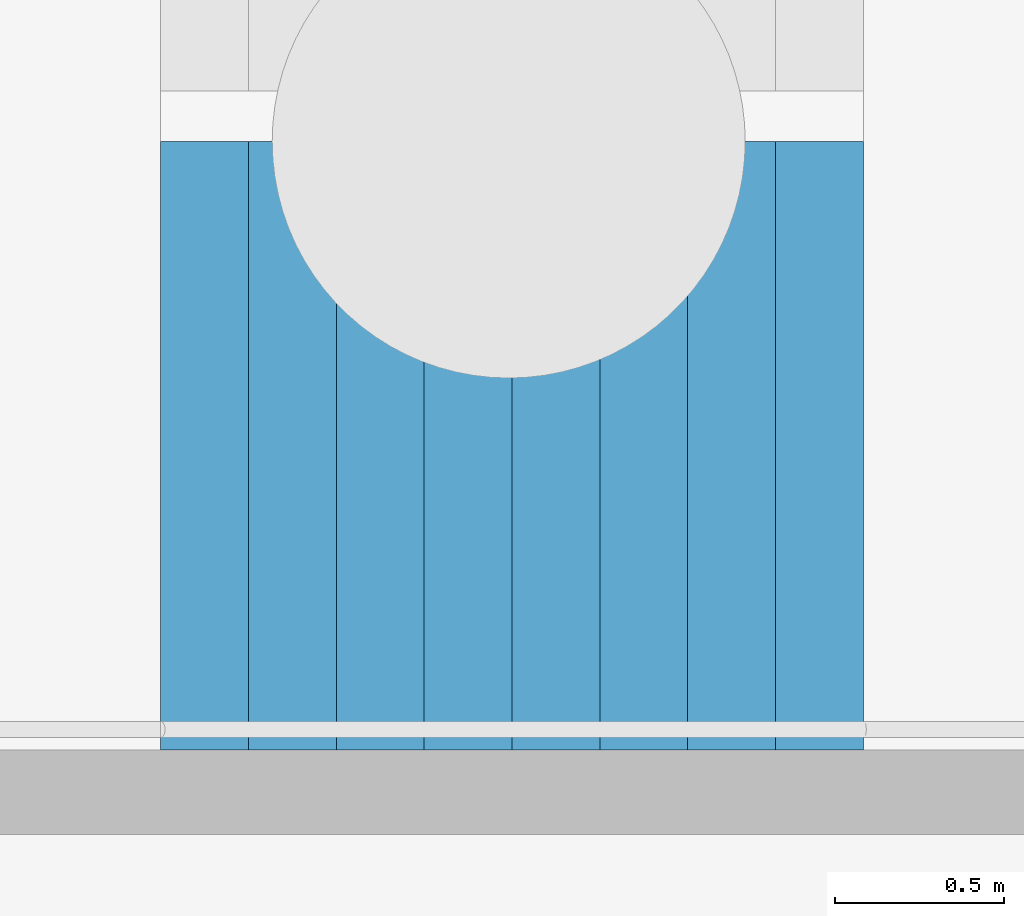
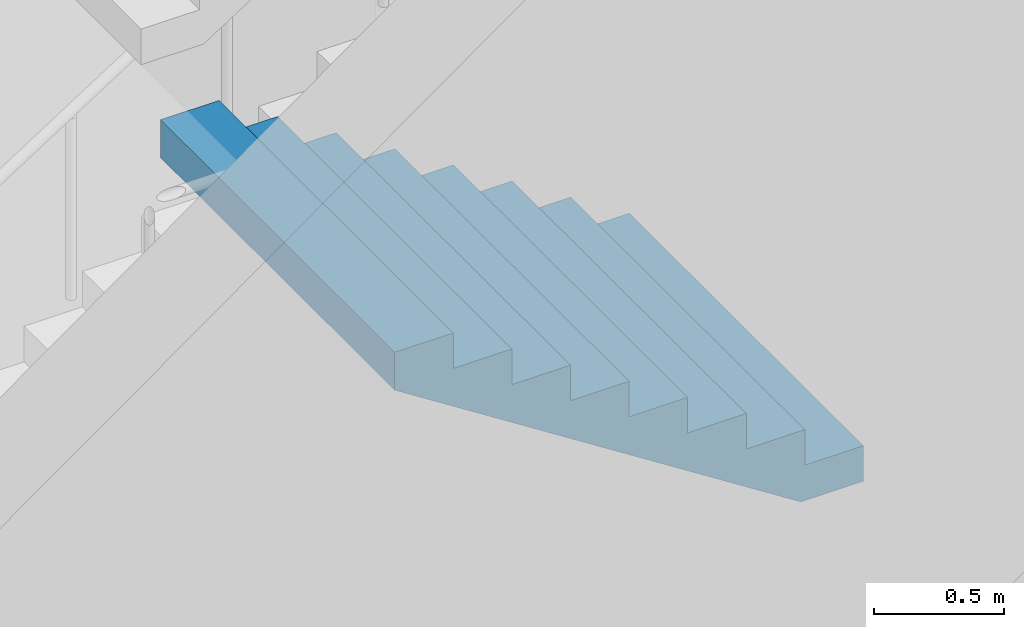
# One storey, part 79 of 113: 1 stair flight, 1 element without a shape of its own.
"""IFC4 building model written with IfcOpenShell, lengths in metres."""

from ifc_helpers import new_model, si_unit, direction, frame, origin, place, context, subcontext, project, spatial, triangles, material, type_object, element, aggregate, save


model = new_model("IFC4")

# Units and contexts
model_context = context("Model", 3, precision=1e-05, world=origin(), true_north=direction((0.0, 1.0)))
body_context = subcontext(model_context, "Body", "Model", "MODEL_VIEW")
ifc_project = project(units=[si_unit("LENGTHUNIT", "METRE"), si_unit("AREAUNIT", "SQUARE_METRE"), si_unit("VOLUMEUNIT", "CUBIC_METRE"), si_unit("PLANEANGLEUNIT", "RADIAN"), si_unit("MASSUNIT", "GRAM", prefix="KILO")], contexts=[model_context])

# Site, building, storey
site_placement = place(None, origin())
site = spatial("IfcSite", under=ifc_project, at=site_placement, CompositionType="ELEMENT")
building_placement = place(site_placement, origin())
building = spatial("IfcBuilding", under=site, at=building_placement, Name="Hakoniwa Tower and Hamabe Station Hall", CompositionType="ELEMENT")
storey_placement = place(building_placement, origin())
storey = spatial("IfcBuildingStorey", under=building, at=storey_placement, Name="L01", CompositionType="ELEMENT", Elevation=0.0)

# Stair, stair flight
ifc_material_1 = material(Name="Concrete C40", Category="concrete")
stair_type = type_object("IfcStairType", Name="ESCAPE STAIR 1800", PredefinedType="HALF_TURN_STAIR", material=ifc_material_1)
stair_placement = place(storey_placement, origin())
stair = element("IfcStair", 1, at=stair_placement, inside=storey, type_object=stair_type, Name="Escape stair ST-3 L01", PredefinedType="HALF_TURN_STAIR")
ifc_material_2 = material(Name="Concrete C40", Category="concrete")
stair_flight_type = type_object("IfcStairFlightType", Name="STAIR FLIGHT 1800", PredefinedType="STRAIGHT", material=ifc_material_2)
stair_flight_placement = place(storey_placement, frame((24.39990234375, 4.64990234375, 3.0), z_axis=(0.0, 0.0, 1.0), x_axis=(-1.0, 0.0, 0.0)))
stair_flight = element("IfcStairFlight", 2, at=stair_flight_placement, type_object=stair_flight_type, Name="ST-3 flight 3", NumberOfRisers=9, NumberOfTreads=8, PredefinedType="STRAIGHT", RiserHeight=0.166666667, TreadLength=0.26, context=body_context, shape_type="Tessellation", body=[
    triangles([(0.0, 0.89990234375, 0.0), (0.260009765625, 0.89990234375, 0.0), (0.27783203125, 0.89990234375, 0.0), (0.52001953125, 0.89990234375, 0.1552734375), (0.780029296875, 0.89990234375, 0.322021484375), (1.0400390625, 0.89990234375, 0.488525390625), (1.300048828125, 0.89990234375, 0.6552734375), (1.56005859375, 0.89990234375, 0.822021484375), (1.820068359375, 0.89990234375, 0.988525390625), (2.080078125, 0.89990234375, 1.1552734375), (2.080078125, 0.89990234375, 1.333251953125), (1.820068359375, 0.89990234375, 1.333251953125), (1.820068359375, 0.89990234375, 1.166748046875), (1.56005859375, 0.89990234375, 1.166748046875), (1.56005859375, 0.89990234375, 1.0), (1.300048828125, 0.89990234375, 1.0), (1.300048828125, 0.89990234375, 0.833251953125), (1.0400390625, 0.89990234375, 0.833251953125), (1.0400390625, 0.89990234375, 0.666748046875), (0.780029296875, 0.89990234375, 0.666748046875), (0.780029296875, 0.89990234375, 0.5), (0.52001953125, 0.89990234375, 0.5), (0.52001953125, 0.89990234375, 0.333251953125), (0.27783203125, 0.89990234375, 0.333251953125), (0.260009765625, 0.89990234375, 0.333251953125), (0.260009765625, 0.89990234375, 0.166748046875), (0.0, 0.89990234375, 0.166748046875), (0.0, 0.06005859375, 0.0), (0.260009765625, 0.06005859375, 0.0), (0.27783203125, 0.06005859375, 0.0), (0.52001953125, 0.06005859375, 0.1552734375), (0.780029296875, 0.06005859375, 0.322021484375), (1.0400390625, 0.06005859375, 0.488525390625), (1.300048828125, 0.06005859375, 0.6552734375), (1.56005859375, 0.06005859375, 0.822021484375), (1.820068359375, 0.06005859375, 0.988525390625), (2.080078125, 0.06005859375, 1.1552734375), (2.080078125, 0.06005859375, 1.333251953125), (1.820068359375, 0.06005859375, 1.333251953125), (1.820068359375, 0.06005859375, 1.166748046875), (1.56005859375, 0.06005859375, 1.166748046875), (1.56005859375, 0.06005859375, 1.0), (1.300048828125, 0.06005859375, 1.0), (1.300048828125, 0.06005859375, 0.833251953125), (1.0400390625, 0.06005859375, 0.833251953125), (1.0400390625, 0.06005859375, 0.666748046875), (0.780029296875, 0.06005859375, 0.666748046875), (0.780029296875, 0.06005859375, 0.5), (0.52001953125, 0.06005859375, 0.5), (0.52001953125, 0.06005859375, 0.333251953125), (0.27783203125, 0.06005859375, 0.333251953125), (0.260009765625, 0.06005859375, 0.333251953125), (0.260009765625, 0.06005859375, 0.166748046875), (0.0, 0.06005859375, 0.166748046875), (0.0, 0.04296875, 0.0), (0.260009765625, 0.04296875, 0.0), (0.27783203125, 0.04296875, 0.0), (0.52001953125, 0.04296875, 0.1552734375), (0.780029296875, 0.04296875, 0.322021484375), (1.0400390625, 0.04296875, 0.488525390625), (1.300048828125, 0.04296875, 0.6552734375), (1.56005859375, 0.04296875, 0.822021484375), (1.820068359375, 0.04296875, 0.988525390625), (2.080078125, 0.04296875, 1.1552734375), (2.080078125, 0.04296875, 1.333251953125), (1.820068359375, 0.04296875, 1.333251953125), (1.820068359375, 0.04296875, 1.166748046875), (1.56005859375, 0.04296875, 1.166748046875), (1.56005859375, 0.04296875, 1.0), (1.300048828125, 0.04296875, 1.0), (1.300048828125, 0.04296875, 0.833251953125), (1.0400390625, 0.04296875, 0.833251953125), (1.0400390625, 0.04296875, 0.666748046875), (0.780029296875, 0.04296875, 0.666748046875), (0.780029296875, 0.04296875, 0.5), (0.52001953125, 0.04296875, 0.5), (0.52001953125, 0.04296875, 0.333251953125), (0.27783203125, 0.04296875, 0.333251953125), (0.260009765625, 0.04296875, 0.333251953125), (0.260009765625, 0.04296875, 0.166748046875), (0.0, 0.04296875, 0.166748046875), (0.0, 0.025634765625, 0.0), (0.260009765625, 0.025634765625, 0.0), (0.27783203125, 0.025634765625, 0.0), (0.52001953125, 0.025634765625, 0.1552734375), (0.780029296875, 0.025634765625, 0.322021484375), (1.0400390625, 0.025634765625, 0.488525390625), (1.300048828125, 0.025634765625, 0.6552734375), (1.56005859375, 0.025634765625, 0.822021484375), (1.820068359375, 0.025634765625, 0.988525390625), (2.080078125, 0.025634765625, 1.1552734375), (2.080078125, 0.025634765625, 1.333251953125), (1.820068359375, 0.025634765625, 1.333251953125), (1.820068359375, 0.025634765625, 1.166748046875), (1.56005859375, 0.025634765625, 1.166748046875), (1.56005859375, 0.025634765625, 1.0), (1.300048828125, 0.025634765625, 1.0), (1.300048828125, 0.025634765625, 0.833251953125), (1.0400390625, 0.025634765625, 0.833251953125), (1.0400390625, 0.025634765625, 0.666748046875), (0.780029296875, 0.025634765625, 0.666748046875), (0.780029296875, 0.025634765625, 0.5), (0.52001953125, 0.025634765625, 0.5), (0.52001953125, 0.025634765625, 0.333251953125), (0.27783203125, 0.025634765625, 0.333251953125), (0.260009765625, 0.025634765625, 0.333251953125), (0.260009765625, 0.025634765625, 0.166748046875), (0.0, 0.025634765625, 0.166748046875), (0.0, 0.008544921875, 0.0), (0.260009765625, 0.008544921875, 0.0), (0.27783203125, 0.008544921875, 0.0), (0.52001953125, 0.008544921875, 0.1552734375), (0.780029296875, 0.008544921875, 0.322021484375), (1.0400390625, 0.008544921875, 0.488525390625), (1.300048828125, 0.008544921875, 0.6552734375), (1.56005859375, 0.008544921875, 0.822021484375), (1.820068359375, 0.008544921875, 0.988525390625), (2.080078125, 0.008544921875, 1.1552734375), (2.080078125, 0.008544921875, 1.333251953125), (1.820068359375, 0.008544921875, 1.333251953125), (1.820068359375, 0.008544921875, 1.166748046875), (1.56005859375, 0.008544921875, 1.166748046875), (1.56005859375, 0.008544921875, 1.0), (1.300048828125, 0.008544921875, 1.0), (1.300048828125, 0.008544921875, 0.833251953125), (1.0400390625, 0.008544921875, 0.833251953125), (1.0400390625, 0.008544921875, 0.666748046875), (0.780029296875, 0.008544921875, 0.666748046875), (0.780029296875, 0.008544921875, 0.5), (0.52001953125, 0.008544921875, 0.5), (0.52001953125, 0.008544921875, 0.333251953125), (0.27783203125, 0.008544921875, 0.333251953125), (0.260009765625, 0.008544921875, 0.333251953125), (0.260009765625, 0.008544921875, 0.166748046875), (0.0, 0.008544921875, 0.166748046875), (0.0, -0.008544921875, 0.0), (0.260009765625, -0.008544921875, 0.0), (0.27783203125, -0.008544921875, 0.0), (0.52001953125, -0.008544921875, 0.1552734375), (0.780029296875, -0.008544921875, 0.322021484375), (1.0400390625, -0.008544921875, 0.488525390625), (1.300048828125, -0.008544921875, 0.6552734375), (1.56005859375, -0.008544921875, 0.822021484375), (1.820068359375, -0.008544921875, 0.988525390625), (2.080078125, -0.008544921875, 1.1552734375), (2.080078125, -0.008544921875, 1.333251953125), (1.820068359375, -0.008544921875, 1.333251953125), (1.820068359375, -0.008544921875, 1.166748046875), (1.56005859375, -0.008544921875, 1.166748046875), (1.56005859375, -0.008544921875, 1.0), (1.300048828125, -0.008544921875, 1.0), (1.300048828125, -0.008544921875, 0.833251953125), (1.0400390625, -0.008544921875, 0.833251953125), (1.0400390625, -0.008544921875, 0.666748046875), (0.780029296875, -0.008544921875, 0.666748046875), (0.780029296875, -0.008544921875, 0.5), (0.52001953125, -0.008544921875, 0.5), (0.52001953125, -0.008544921875, 0.333251953125), (0.27783203125, -0.008544921875, 0.333251953125), (0.260009765625, -0.008544921875, 0.333251953125), (0.260009765625, -0.008544921875, 0.166748046875), (0.0, -0.008544921875, 0.166748046875), (0.0, -0.025634765625, 0.0), (0.260009765625, -0.025634765625, 0.0), (0.27783203125, -0.025634765625, 0.0), (0.52001953125, -0.025634765625, 0.1552734375), (0.780029296875, -0.025634765625, 0.322021484375), (1.0400390625, -0.025634765625, 0.488525390625), (1.300048828125, -0.025634765625, 0.6552734375), (1.56005859375, -0.025634765625, 0.822021484375), (1.820068359375, -0.025634765625, 0.988525390625), (2.080078125, -0.025634765625, 1.1552734375), (2.080078125, -0.025634765625, 1.333251953125), (1.820068359375, -0.025634765625, 1.333251953125), (1.820068359375, -0.025634765625, 1.166748046875), (1.56005859375, -0.025634765625, 1.166748046875), (1.56005859375, -0.025634765625, 1.0), (1.300048828125, -0.025634765625, 1.0), (1.300048828125, -0.025634765625, 0.833251953125), (1.0400390625, -0.025634765625, 0.833251953125), (1.0400390625, -0.025634765625, 0.666748046875), (0.780029296875, -0.025634765625, 0.666748046875), (0.780029296875, -0.025634765625, 0.5), (0.52001953125, -0.025634765625, 0.5), (0.52001953125, -0.025634765625, 0.333251953125), (0.27783203125, -0.025634765625, 0.333251953125), (0.260009765625, -0.025634765625, 0.333251953125), (0.260009765625, -0.025634765625, 0.166748046875), (0.0, -0.025634765625, 0.166748046875), (0.0, -0.04296875, 0.0), (0.260009765625, -0.04296875, 0.0), (0.27783203125, -0.04296875, 0.0), (0.52001953125, -0.04296875, 0.1552734375), (0.780029296875, -0.04296875, 0.322021484375), (1.0400390625, -0.04296875, 0.488525390625), (1.300048828125, -0.04296875, 0.6552734375), (1.56005859375, -0.04296875, 0.822021484375), (1.820068359375, -0.04296875, 0.988525390625), (2.080078125, -0.04296875, 1.1552734375), (2.080078125, -0.04296875, 1.333251953125), (1.820068359375, -0.04296875, 1.333251953125), (1.820068359375, -0.04296875, 1.166748046875), (1.56005859375, -0.04296875, 1.166748046875), (1.56005859375, -0.04296875, 1.0), (1.300048828125, -0.04296875, 1.0), (1.300048828125, -0.04296875, 0.833251953125), (1.0400390625, -0.04296875, 0.833251953125), (1.0400390625, -0.04296875, 0.666748046875), (0.780029296875, -0.04296875, 0.666748046875), (0.780029296875, -0.04296875, 0.5), (0.52001953125, -0.04296875, 0.5), (0.52001953125, -0.04296875, 0.333251953125), (0.27783203125, -0.04296875, 0.333251953125), (0.260009765625, -0.04296875, 0.333251953125), (0.260009765625, -0.04296875, 0.166748046875), (0.0, -0.04296875, 0.166748046875), (0.0, -0.06005859375, 0.0), (0.260009765625, -0.06005859375, 0.0), (0.27783203125, -0.06005859375, 0.0), (0.52001953125, -0.06005859375, 0.1552734375), (0.780029296875, -0.06005859375, 0.322021484375), (1.0400390625, -0.06005859375, 0.488525390625), (1.300048828125, -0.06005859375, 0.6552734375), (1.56005859375, -0.06005859375, 0.822021484375), (1.820068359375, -0.06005859375, 0.988525390625), (2.080078125, -0.06005859375, 1.1552734375), (2.080078125, -0.06005859375, 1.333251953125), (1.820068359375, -0.06005859375, 1.333251953125), (1.820068359375, -0.06005859375, 1.166748046875), (1.56005859375, -0.06005859375, 1.166748046875), (1.56005859375, -0.06005859375, 1.0), (1.300048828125, -0.06005859375, 1.0), (1.300048828125, -0.06005859375, 0.833251953125), (1.0400390625, -0.06005859375, 0.833251953125), (1.0400390625, -0.06005859375, 0.666748046875), (0.780029296875, -0.06005859375, 0.666748046875), (0.780029296875, -0.06005859375, 0.5), (0.52001953125, -0.06005859375, 0.5), (0.52001953125, -0.06005859375, 0.333251953125), (0.27783203125, -0.06005859375, 0.333251953125), (0.260009765625, -0.06005859375, 0.333251953125), (0.260009765625, -0.06005859375, 0.166748046875), (0.0, -0.06005859375, 0.166748046875), (0.0, -0.89990234375, 0.0), (0.260009765625, -0.89990234375, 0.0), (0.27783203125, -0.89990234375, 0.0), (0.52001953125, -0.89990234375, 0.1552734375), (0.780029296875, -0.89990234375, 0.322021484375), (1.0400390625, -0.89990234375, 0.488525390625), (1.300048828125, -0.89990234375, 0.6552734375), (1.56005859375, -0.89990234375, 0.822021484375), (1.820068359375, -0.89990234375, 0.988525390625), (2.080078125, -0.89990234375, 1.1552734375), (2.080078125, -0.89990234375, 1.333251953125), (1.820068359375, -0.89990234375, 1.333251953125), (1.820068359375, -0.89990234375, 1.166748046875), (1.56005859375, -0.89990234375, 1.166748046875), (1.56005859375, -0.89990234375, 1.0), (1.300048828125, -0.89990234375, 1.0), (1.300048828125, -0.89990234375, 0.833251953125), (1.0400390625, -0.89990234375, 0.833251953125), (1.0400390625, -0.89990234375, 0.666748046875), (0.780029296875, -0.89990234375, 0.666748046875), (0.780029296875, -0.89990234375, 0.5), (0.52001953125, -0.89990234375, 0.5), (0.52001953125, -0.89990234375, 0.333251953125), (0.27783203125, -0.89990234375, 0.333251953125), (0.260009765625, -0.89990234375, 0.333251953125), (0.260009765625, -0.89990234375, 0.166748046875), (0.0, -0.89990234375, 0.166748046875)], [[2, 27, 26], [245, 269, 270], [2, 1, 27], [245, 270, 244], [3, 25, 24], [246, 267, 268], [3, 26, 25], [246, 268, 269], [3, 2, 26], [246, 269, 245], [4, 24, 23], [247, 266, 267], [4, 3, 24], [247, 267, 246], [5, 22, 21], [248, 264, 265], [5, 23, 22], [248, 265, 266], [5, 4, 23], [248, 266, 247], [6, 20, 19], [249, 262, 263], [6, 21, 20], [249, 263, 264], [6, 5, 21], [249, 264, 248], [7, 18, 17], [250, 260, 261], [7, 19, 18], [250, 261, 262], [7, 6, 19], [250, 262, 249], [8, 16, 15], [251, 258, 259], [8, 17, 16], [251, 259, 260], [8, 7, 17], [251, 260, 250], [9, 14, 13], [252, 256, 257], [9, 15, 14], [252, 257, 258], [9, 8, 15], [252, 258, 251], [10, 12, 11], [253, 254, 255], [10, 13, 12], [253, 255, 256], [10, 9, 13], [253, 256, 252], [1, 2, 29], [1, 29, 28], [28, 29, 56], [28, 56, 55], [55, 56, 83], [55, 83, 82], [82, 83, 110], [82, 110, 109], [109, 110, 137], [109, 137, 136], [136, 137, 164], [136, 164, 163], [163, 164, 191], [163, 191, 190], [190, 191, 218], [190, 218, 217], [217, 218, 245], [217, 245, 244], [2, 3, 30], [2, 30, 29], [29, 30, 57], [29, 57, 56], [56, 57, 84], [56, 84, 83], [83, 84, 111], [83, 111, 110], [110, 111, 138], [110, 138, 137], [137, 138, 165], [137, 165, 164], [164, 165, 192], [164, 192, 191], [191, 192, 219], [191, 219, 218], [218, 219, 246], [218, 246, 245], [3, 4, 31], [3, 31, 30], [30, 31, 58], [30, 58, 57], [57, 58, 85], [57, 85, 84], [84, 85, 112], [84, 112, 111], [111, 112, 139], [111, 139, 138], [138, 139, 166], [138, 166, 165], [165, 166, 193], [165, 193, 192], [192, 193, 220], [192, 220, 219], [219, 220, 247], [219, 247, 246], [4, 5, 32], [4, 32, 31], [31, 32, 59], [31, 59, 58], [58, 59, 86], [58, 86, 85], [85, 86, 113], [85, 113, 112], [112, 113, 140], [112, 140, 139], [139, 140, 167], [139, 167, 166], [166, 167, 194], [166, 194, 193], [193, 194, 221], [193, 221, 220], [220, 221, 248], [220, 248, 247], [5, 6, 33], [5, 33, 32], [32, 33, 60], [32, 60, 59], [59, 60, 87], [59, 87, 86], [86, 87, 114], [86, 114, 113], [113, 114, 141], [113, 141, 140], [140, 141, 168], [140, 168, 167], [167, 168, 195], [167, 195, 194], [194, 195, 222], [194, 222, 221], [221, 222, 249], [221, 249, 248], [6, 7, 34], [6, 34, 33], [33, 34, 61], [33, 61, 60], [60, 61, 88], [60, 88, 87], [87, 88, 115], [87, 115, 114], [114, 115, 142], [114, 142, 141], [141, 142, 169], [141, 169, 168], [168, 169, 196], [168, 196, 195], [195, 196, 223], [195, 223, 222], [222, 223, 250], [222, 250, 249], [7, 8, 35], [7, 35, 34], [34, 35, 62], [34, 62, 61], [61, 62, 89], [61, 89, 88], [88, 89, 116], [88, 116, 115], [115, 116, 143], [115, 143, 142], [142, 143, 170], [142, 170, 169], [169, 170, 197], [169, 197, 196], [196, 197, 224], [196, 224, 223], [223, 224, 251], [223, 251, 250], [8, 9, 36], [8, 36, 35], [35, 36, 63], [35, 63, 62], [62, 63, 90], [62, 90, 89], [89, 90, 117], [89, 117, 116], [116, 117, 144], [116, 144, 143], [143, 144, 171], [143, 171, 170], [170, 171, 198], [170, 198, 197], [197, 198, 225], [197, 225, 224], [224, 225, 252], [224, 252, 251], [9, 10, 37], [9, 37, 36], [36, 37, 64], [36, 64, 63], [63, 64, 91], [63, 91, 90], [90, 91, 118], [90, 118, 117], [117, 118, 145], [117, 145, 144], [144, 145, 172], [144, 172, 171], [171, 172, 199], [171, 199, 198], [198, 199, 226], [198, 226, 225], [225, 226, 253], [225, 253, 252], [10, 11, 38], [10, 38, 37], [37, 38, 65], [37, 65, 64], [64, 65, 92], [64, 92, 91], [91, 92, 119], [91, 119, 118], [118, 119, 146], [118, 146, 145], [145, 146, 173], [145, 173, 172], [172, 173, 200], [172, 200, 199], [199, 200, 227], [199, 227, 226], [226, 227, 254], [226, 254, 253], [11, 12, 39], [11, 39, 38], [38, 39, 66], [38, 66, 65], [65, 66, 93], [65, 93, 92], [92, 93, 120], [92, 120, 119], [119, 120, 147], [119, 147, 146], [146, 147, 174], [146, 174, 173], [173, 174, 201], [173, 201, 200], [200, 201, 228], [200, 228, 227], [227, 228, 255], [227, 255, 254], [12, 13, 40], [12, 40, 39], [39, 40, 67], [39, 67, 66], [66, 67, 94], [66, 94, 93], [93, 94, 121], [93, 121, 120], [120, 121, 148], [120, 148, 147], [147, 148, 175], [147, 175, 174], [174, 175, 202], [174, 202, 201], [201, 202, 229], [201, 229, 228], [228, 229, 256], [228, 256, 255], [13, 14, 41], [13, 41, 40], [40, 41, 68], [40, 68, 67], [67, 68, 95], [67, 95, 94], [94, 95, 122], [94, 122, 121], [121, 122, 149], [121, 149, 148], [148, 149, 176], [148, 176, 175], [175, 176, 203], [175, 203, 202], [202, 203, 230], [202, 230, 229], [229, 230, 257], [229, 257, 256], [14, 15, 42], [14, 42, 41], [41, 42, 69], [41, 69, 68], [68, 69, 96], [68, 96, 95], [95, 96, 123], [95, 123, 122], [122, 123, 150], [122, 150, 149], [149, 150, 177], [149, 177, 176], [176, 177, 204], [176, 204, 203], [203, 204, 231], [203, 231, 230], [230, 231, 258], [230, 258, 257], [15, 16, 43], [15, 43, 42], [42, 43, 70], [42, 70, 69], [69, 70, 97], [69, 97, 96], [96, 97, 124], [96, 124, 123], [123, 124, 151], [123, 151, 150], [150, 151, 178], [150, 178, 177], [177, 178, 205], [177, 205, 204], [204, 205, 232], [204, 232, 231], [231, 232, 259], [231, 259, 258], [16, 17, 44], [16, 44, 43], [43, 44, 71], [43, 71, 70], [70, 71, 98], [70, 98, 97], [97, 98, 125], [97, 125, 124], [124, 125, 152], [124, 152, 151], [151, 152, 179], [151, 179, 178], [178, 179, 206], [178, 206, 205], [205, 206, 233], [205, 233, 232], [232, 233, 260], [232, 260, 259], [17, 18, 45], [17, 45, 44], [44, 45, 72], [44, 72, 71], [71, 72, 99], [71, 99, 98], [98, 99, 126], [98, 126, 125], [125, 126, 153], [125, 153, 152], [152, 153, 180], [152, 180, 179], [179, 180, 207], [179, 207, 206], [206, 207, 234], [206, 234, 233], [233, 234, 261], [233, 261, 260], [18, 19, 46], [18, 46, 45], [45, 46, 73], [45, 73, 72], [72, 73, 100], [72, 100, 99], [99, 100, 127], [99, 127, 126], [126, 127, 154], [126, 154, 153], [153, 154, 181], [153, 181, 180], [180, 181, 208], [180, 208, 207], [207, 208, 235], [207, 235, 234], [234, 235, 262], [234, 262, 261], [19, 20, 47], [19, 47, 46], [46, 47, 74], [46, 74, 73], [73, 74, 101], [73, 101, 100], [100, 101, 128], [100, 128, 127], [127, 128, 155], [127, 155, 154], [154, 155, 182], [154, 182, 181], [181, 182, 209], [181, 209, 208], [208, 209, 236], [208, 236, 235], [235, 236, 263], [235, 263, 262], [20, 21, 48], [20, 48, 47], [47, 48, 75], [47, 75, 74], [74, 75, 102], [74, 102, 101], [101, 102, 129], [101, 129, 128], [128, 129, 156], [128, 156, 155], [155, 156, 183], [155, 183, 182], [182, 183, 210], [182, 210, 209], [209, 210, 237], [209, 237, 236], [236, 237, 264], [236, 264, 263], [21, 22, 49], [21, 49, 48], [48, 49, 76], [48, 76, 75], [75, 76, 103], [75, 103, 102], [102, 103, 130], [102, 130, 129], [129, 130, 157], [129, 157, 156], [156, 157, 184], [156, 184, 183], [183, 184, 211], [183, 211, 210], [210, 211, 238], [210, 238, 237], [237, 238, 265], [237, 265, 264], [22, 23, 50], [22, 50, 49], [49, 50, 77], [49, 77, 76], [76, 77, 104], [76, 104, 103], [103, 104, 131], [103, 131, 130], [130, 131, 158], [130, 158, 157], [157, 158, 185], [157, 185, 184], [184, 185, 212], [184, 212, 211], [211, 212, 239], [211, 239, 238], [238, 239, 266], [238, 266, 265], [23, 24, 51], [23, 51, 50], [50, 51, 78], [50, 78, 77], [77, 78, 105], [77, 105, 104], [104, 105, 132], [104, 132, 131], [131, 132, 159], [131, 159, 158], [158, 159, 186], [158, 186, 185], [185, 186, 213], [185, 213, 212], [212, 213, 240], [212, 240, 239], [239, 240, 267], [239, 267, 266], [24, 25, 52], [24, 52, 51], [51, 52, 79], [51, 79, 78], [78, 79, 106], [78, 106, 105], [105, 106, 133], [105, 133, 132], [132, 133, 160], [132, 160, 159], [159, 160, 187], [159, 187, 186], [186, 187, 214], [186, 214, 213], [213, 214, 241], [213, 241, 240], [240, 241, 268], [240, 268, 267], [25, 26, 53], [25, 53, 52], [52, 53, 80], [52, 80, 79], [79, 80, 107], [79, 107, 106], [106, 107, 134], [106, 134, 133], [133, 134, 161], [133, 161, 160], [160, 161, 188], [160, 188, 187], [187, 188, 215], [187, 215, 214], [214, 215, 242], [214, 242, 241], [241, 242, 269], [241, 269, 268], [26, 27, 54], [26, 54, 53], [53, 54, 81], [53, 81, 80], [80, 81, 108], [80, 108, 107], [107, 108, 135], [107, 135, 134], [134, 135, 162], [134, 162, 161], [161, 162, 189], [161, 189, 188], [188, 189, 216], [188, 216, 215], [215, 216, 243], [215, 243, 242], [242, 243, 270], [242, 270, 269], [27, 1, 28], [27, 28, 54], [54, 28, 55], [54, 55, 81], [81, 55, 82], [81, 82, 108], [108, 82, 109], [108, 109, 135], [135, 109, 136], [135, 136, 162], [162, 136, 163], [162, 163, 189], [189, 163, 190], [189, 190, 216], [216, 190, 217], [216, 217, 243], [243, 217, 244], [243, 244, 270]], closed=True),
])
aggregate(stair, [stair_flight])

save(model, "model.ifc")
